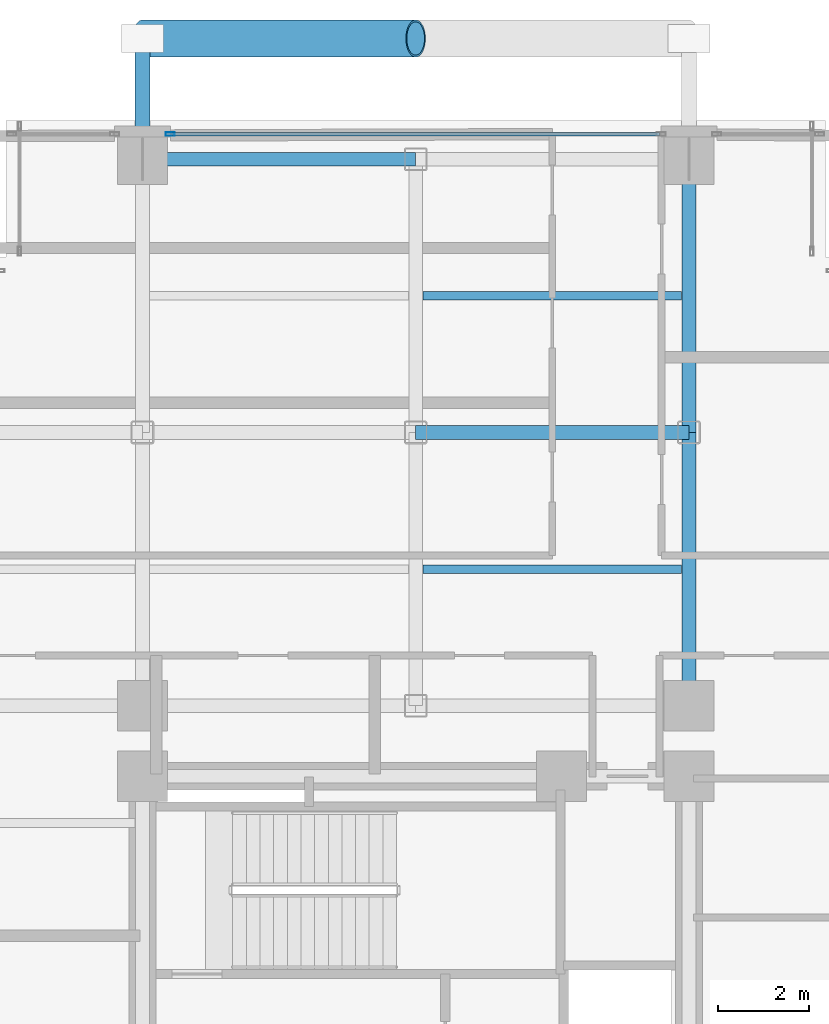
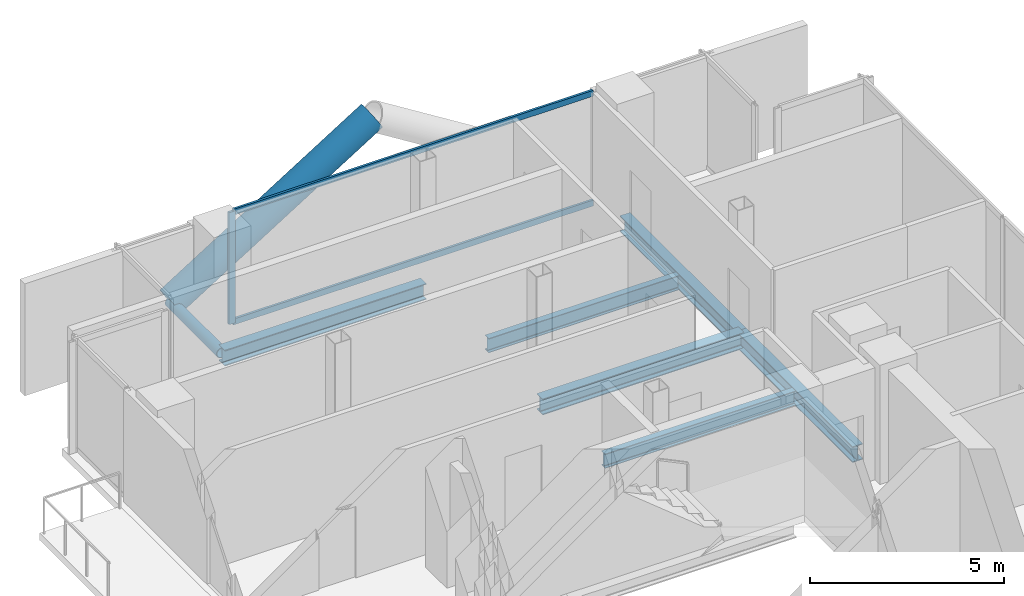
# One storey, part 16 of 28: 6 beams, 5 members, 1 element without a shape of its own.
"""IFC4 building model written with IfcOpenShell, lengths in metres."""

from ifc_helpers import new_model, si_unit, direction, frame, origin, origin_2d, place, context, subcontext, project, spatial, hollow_rectangle, hollow_circle, i_section, extrude, material, layer, layer_set, material_profile, profile_set, type_object, element, aggregate, save


model = new_model("IFC4")

# Units and contexts
model_context = context("Model", 3, precision=1e-05, world=origin(), true_north=direction((0.0, 1.0)))
body_context = subcontext(model_context, "Body", "Model", "MODEL_VIEW")
ifc_project = project(units=[si_unit("LENGTHUNIT", "METRE"), si_unit("AREAUNIT", "SQUARE_METRE"), si_unit("VOLUMEUNIT", "CUBIC_METRE"), si_unit("PLANEANGLEUNIT", "RADIAN"), si_unit("MASSUNIT", "GRAM", prefix="KILO"), si_unit("THERMODYNAMICTEMPERATUREUNIT", "KELVIN"), si_unit("POWERUNIT", "WATT")], contexts=[model_context])

# Site, building, storey
site_placement = place(None, origin())
site = spatial("IfcSite", under=ifc_project, at=site_placement, CompositionType="ELEMENT")
building_placement = place(site_placement, origin())
building = spatial("IfcBuilding", under=site, at=building_placement, Name="Svarakhadi Broadcast Tower", CompositionType="ELEMENT")
storey_placement = place(building_placement, frame((0.0, 0.0, 134.39990234375)))
storey = spatial("IfcBuildingStorey", under=building, at=storey_placement, Name="L32", CompositionType="ELEMENT", Elevation=134.39990234375)

# Beams
ifc_material_1 = material(Name="Steel S355J2 (IS 2062 E350C)", Category="steel")
ifc_material_profile_1 = material_profile(ifc_material_1, i_section(OverallWidth=0.18994140625, OverallDepth=0.449951171875, WebThickness=0.009521484375, FlangeThickness=0.0146484375, FilletRadius=0.02099609375, at=origin_2d()), Name="NPB 450x190x78")
ifc_profile_set_1 = profile_set([ifc_material_profile_1], Name="Steel S355J2 (IS 2062 E350C)")
beam_type_1 = type_object("IfcBeamType", Name="Beam_NPB450", PredefinedType="BEAM", material=ifc_profile_set_1)
for number, where, z_axis, x_axis, name in (
    (1, (12.159912109375, 32.14990234375, -0.449951171875), (1.0, 0.0, 0.0), (0.0, 1.0, 0.0), "L32 Secondary Composite Beam SB014"),
    (2, (12.159912109375, 38.14990234375, -0.449951171875), (1.0, 0.0, 0.0), (0.0, 1.0, 0.0), "L32 Secondary Composite Beam SB015"),
):
    element("IfcBeam", number, at=place(storey_placement, frame(where, z_axis=z_axis, x_axis=x_axis)), inside=storey, type_object=beam_type_1, Name=name, PredefinedType="BEAM", context=body_context, shape_type="SweptSolid", body=[
        extrude(i_section(OverallWidth=0.18994140625, OverallDepth=0.449951171875, WebThickness=0.009521484375, FlangeThickness=0.0146484375, FilletRadius=0.02099609375, at=origin_2d()), origin(), (0.0, 0.0, 1.0), 5.68017578125),
    ])

# Curtain wall, members
ifc_material_2 = material(Name="Anodised Bronze Aluminium AA 6063-T6", Category="aluminium")
ifc_layer = layer(ifc_material_2, 0.199951171875)
ifc_layer_set = layer_set([ifc_layer], Name="Anodised Bronze Aluminium AA 6063-T6")
curtain_wall_type = type_object("IfcCurtainWallType", Name="CW_Sys_03", PredefinedType="NOTDEFINED", material=ifc_layer_set)
curtain_wall_placement = place(storey_placement, origin())
curtain_wall = element("IfcCurtainWall", 3, at=curtain_wall_placement, inside=storey, type_object=curtain_wall_type, Name="L32 Unitised Facade Curtain Wall 06 Bay 2", PredefinedType="NOTDEFINED")
ifc_material_profile_2 = material_profile(ifc_material_2, hollow_rectangle(XDim=0.074951171875, YDim=0.199951171875, WallThickness=0.005615234375, at=origin_2d()), Name="ALU MULLION 200x75x6")
ifc_profile_set_2 = profile_set([ifc_material_profile_2], Name="Anodised Bronze Aluminium AA 6063-T6")
member_type_1 = type_object("IfcMemberType", Name="CW_Sys_03_Mul", PredefinedType="MULLION", material=ifc_profile_set_2)
member_1_placement = place(storey_placement, frame((6.607421875, 41.699951171875, 0.0), z_axis=(0.0, 0.0, 1.0), x_axis=(0.0, 1.0, 0.0)))
member_1 = element("IfcMember", 4, at=member_1_placement, type_object=member_type_1, Name="CW-03 mullion 1", PredefinedType="MULLION", context=body_context, shape_type="SweptSolid", body=[
    extrude(hollow_rectangle(XDim=0.074951171875, YDim=0.199951171875, WallThickness=0.005615234375, at=origin_2d()), origin(), (0.0, 0.0, 1.0), 3.525146484375),
])
ifc_material_profile_3 = material_profile(ifc_material_2, hollow_rectangle(XDim=0.070068359375, YDim=0.18505859375, WallThickness=0.0048828125, at=origin_2d()), Name="ALU TRANSOM 185x70x5")
ifc_profile_set_3 = profile_set([ifc_material_profile_3], Name="Anodised Bronze Aluminium AA 6063-T6")
member_type_2 = type_object("IfcMemberType", Name="CW_Sys_03_Trn", PredefinedType="USERDEFINED", material=ifc_profile_set_3)
member_2_placement = place(storey_placement, frame((6.64501953125, 41.699951171875, 0.03515625), z_axis=(1.0, 0.0, 0.0), x_axis=(0.0, 1.0, 0.0)))
member_2 = element("IfcMember", 5, at=member_2_placement, type_object=member_type_2, Name="CW-03 transom 1.1", ObjectType="TRANSOM", PredefinedType="USERDEFINED", context=body_context, shape_type="SweptSolid", body=[
    extrude(hollow_rectangle(XDim=0.070068359375, YDim=0.18505859375, WallThickness=0.0048828125, at=origin_2d()), origin(), (0.0, 0.0, 1.0), 10.7099609375),
])
member_3_placement = place(storey_placement, frame((6.64501953125, 41.699951171875, 3.489990234375), z_axis=(1.0, 0.0, 0.0), x_axis=(0.0, 1.0, 0.0)))
member_3 = element("IfcMember", 6, at=member_3_placement, type_object=member_type_2, Name="CW-03 transom 1.2", ObjectType="TRANSOM", PredefinedType="USERDEFINED", context=body_context, shape_type="SweptSolid", body=[
    extrude(hollow_rectangle(XDim=0.070068359375, YDim=0.18505859375, WallThickness=0.0048828125, at=origin_2d()), origin(), (0.0, 0.0, 1.0), 10.7099609375),
])
aggregate(curtain_wall, [member_1, member_2, member_3])

# Members
ifc_material_3 = material(Name="Steel S460ML (IS 2062 E450BR)", Category="steel")
ifc_material_profile_4 = material_profile(ifc_material_3, hollow_circle(Radius=0.406494140625, WallThickness=0.0400390625, at=origin_2d()), Name="CHS 813x40")
ifc_profile_set_4 = profile_set([ifc_material_profile_4], Name="Steel S460ML (IS 2062 E450BR)")
member_type_3 = type_object("IfcMemberType", Name="Exo_Brace_CHS813", PredefinedType="BRACE", material=ifc_profile_set_4)
member_4_placement = place(storey_placement, frame((6.0, 43.800048828125, -0.386962890625), z_axis=(0.847998304005, 0.0, 0.529998940003), x_axis=(0.0, 1.0, 0.0)))
element("IfcMember", 7, at=member_4_placement, inside=storey, type_object=member_type_3, Name="L32 Exposed Bronze Exoskeleton Diagonal N10", PredefinedType="BRACE", context=body_context, shape_type="SweptSolid", body=[
    extrude(hollow_circle(Radius=0.406494140625, WallThickness=0.0400390625, at=origin_2d()), origin(), (0.0, 0.0, 1.0), 7.075439453125),
])
ifc_material_profile_5 = material_profile(ifc_material_3, hollow_circle(Radius=0.161865234375, WallThickness=0.01611328125, at=origin_2d()), Name="CHS 323.9x16")
ifc_profile_set_5 = profile_set([ifc_material_profile_5], Name="Steel S460ML (IS 2062 E450BR)")
member_type_4 = type_object("IfcMemberType", Name="Exo_Radial_Strut_Z2", PredefinedType="STRUT", material=ifc_profile_set_5)
member_5_placement = place(storey_placement, frame((6.0, 43.800048828125, -0.386962890625), z_axis=(0.0, -1.0, 0.0), x_axis=(1.0, 0.0, 0.0)))
element("IfcMember", 8, at=member_5_placement, inside=storey, type_object=member_type_4, Name="L32 Exoskeleton Radial Tie Strut N10", PredefinedType="STRUT", context=body_context, shape_type="SweptSolid", body=[
    extrude(hollow_circle(Radius=0.161865234375, WallThickness=0.01611328125, at=origin_2d()), origin(), (0.0, 0.0, 1.0), 2.650146484375),
])

# Beams
ifc_material_profile_6 = material_profile(ifc_material_1, i_section(OverallWidth=0.300048828125, OverallDepth=0.5, WebThickness=0.014404296875, FlangeThickness=0.028076171875, FilletRadius=0.027099609375, at=origin_2d()), Name="WPB 500x300x187")
ifc_profile_set_6 = profile_set([ifc_material_profile_6], Name="Steel S355J2 (IS 2062 E350C)")
beam_type_2 = type_object("IfcBeamType", Name="Girder_WPB500", PredefinedType="USERDEFINED", material=ifc_profile_set_6)
for number, where, z_axis, x_axis, name in (
    (9, (12.0, 35.14990234375, -0.474853515625), (1.0, 0.0, 0.0), (0.0, 1.0, 0.0), "L32 Primary E-W Girder G037"),
    (10, (6.0, 41.14990234375, -0.474853515625), (1.0, 0.0, 0.0), (0.0, 1.0, 0.0), "L32 Primary E-W Girder G038"),
    (11, (18.0, 29.14990234375, -0.474853515625), (0.0, 1.0, 0.0), (-1.0, 0.0, 0.0), "L32 Primary N-S Girder G060"),
    (12, (18.0, 35.14990234375, -0.474853515625), (0.0, 1.0, 0.0), (-1.0, 0.0, 0.0), "L32 Primary N-S Girder G061"),
):
    element("IfcBeam", number, at=place(storey_placement, frame(where, z_axis=z_axis, x_axis=x_axis)), inside=storey, type_object=beam_type_2, Name=name, ObjectType="GIRDER", PredefinedType="USERDEFINED", context=body_context, shape_type="SweptSolid", body=[
        extrude(i_section(OverallWidth=0.300048828125, OverallDepth=0.5, WebThickness=0.014404296875, FlangeThickness=0.028076171875, FilletRadius=0.027099609375, at=origin_2d()), origin(), (0.0, 0.0, 1.0), 6.0),
    ])

save(model, "model.ifc")
